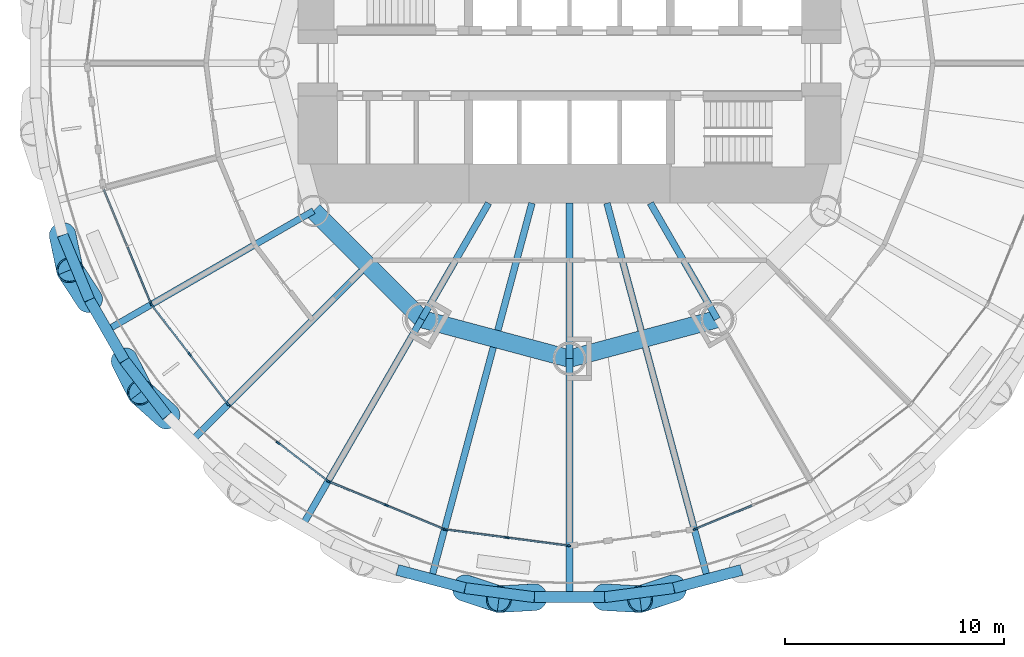
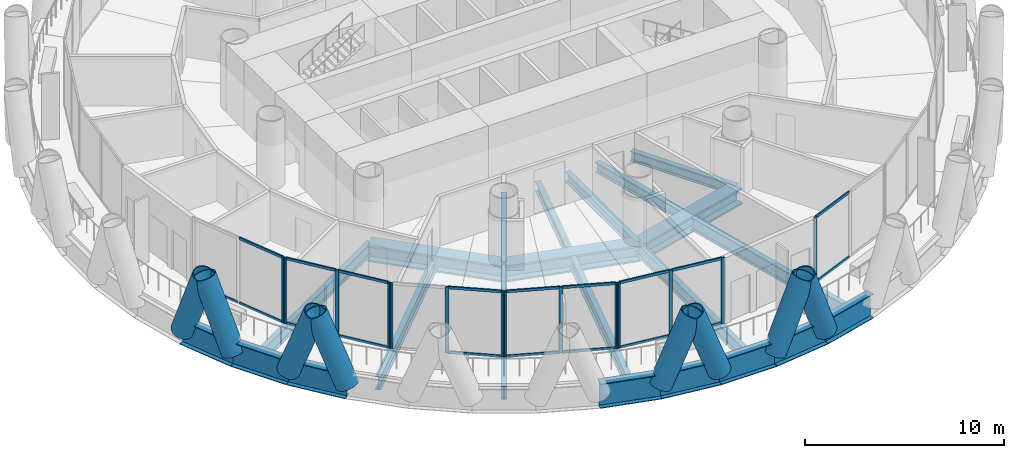
# One storey, part 2 of 16: 41 members, 22 beams, 6 elements without a shape of their own.
"""IFC4 building model written with IfcOpenShell, lengths in metres."""

from ifc_helpers import new_model, si_unit, direction, frame, origin, origin_2d, place, context, subcontext, project, spatial, rectangle, hollow_circle, i_section, extrude, material, material_profile, profile_set, type_object, element, aggregate, save


model = new_model("IFC4")

# Units and contexts
model_context = context("Model", 3, precision=1e-05, world=origin(), true_north=direction((0.0, 1.0)))
body_context = subcontext(model_context, "Body", "Model", "MODEL_VIEW")
ifc_project = project(units=[si_unit("LENGTHUNIT", "METRE"), si_unit("AREAUNIT", "SQUARE_METRE"), si_unit("VOLUMEUNIT", "CUBIC_METRE"), si_unit("PLANEANGLEUNIT", "RADIAN"), si_unit("MASSUNIT", "GRAM", prefix="KILO")], contexts=[model_context])

# Site, building, storey
site_placement = place(None, origin())
site = spatial("IfcSite", under=ifc_project, at=site_placement, CompositionType="ELEMENT")
building_placement = place(site_placement, origin())
building = spatial("IfcBuilding", under=site, at=building_placement, Name="Qaws Media Tower", CompositionType="ELEMENT")
storey_placement = place(building_placement, frame((0.0, 0.0, 47.0)))
storey = spatial("IfcBuildingStorey", under=building, at=storey_placement, Name="L09", CompositionType="ELEMENT", Elevation=47.0)

# Curtain wall, member
ifc_material_1 = material(Name="Aluminium and clear glass", Category="aluminium")
curtain_wall_type = type_object("IfcCurtainWallType", Name="Unitised curtain wall CW-A", PredefinedType="NOTDEFINED", material=ifc_material_1)
curtain_wall_1_placement = place(storey_placement, origin())
curtain_wall_1 = element("IfcCurtainWall", 1, at=curtain_wall_1_placement, inside=storey, type_object=curtain_wall_type, Name="CWA curtain wall L09-14", PredefinedType="NOTDEFINED")
ifc_material_2 = material(Name="Aluminium mullion", Category="aluminium")
ifc_material_profile_1 = material_profile(ifc_material_2, rectangle(XDim=0.080078125, YDim=0.199951171875, at=origin_2d()), Name="80x200")
ifc_profile_set_1 = profile_set([ifc_material_profile_1], Name="Aluminium mullion")
member_type_1 = type_object("IfcMemberType", Name="Curtain wall mullion 80x200", PredefinedType="MULLION", material=ifc_profile_set_1)
member_1_placement = place(storey_placement, frame((40.888916015625, 39.011962890625, 0.0), z_axis=(0.0, 0.0, 1.0), x_axis=(0.923879550525, 0.382683388877, 0.0)))
member_1 = element("IfcMember", 2, at=member_1_placement, type_object=member_type_1, Name="CWA mullion 3", PredefinedType="MULLION", context=body_context, shape_type="SweptSolid", body=[
    extrude(rectangle(XDim=0.080078125, YDim=0.199951171875, at=origin_2d()), origin(), (0.0, 0.0, 1.0), 4.0400390625),
])

# Curtain wall, members
curtain_wall_2_placement = place(storey_placement, origin())
curtain_wall_2 = element("IfcCurtainWall", 3, at=curtain_wall_2_placement, inside=storey, type_object=curtain_wall_type, Name="CWA curtain wall L09-15", PredefinedType="NOTDEFINED")
member_2_placement = place(storey_placement, frame((40.928466796875, 38.943359375, 0.0), z_axis=(0.0, 0.0, 1.0), x_axis=(0.79335342358, 0.608761320465, 0.0)))
member_2 = element("IfcMember", 4, at=member_2_placement, type_object=member_type_1, Name="CWA mullion 1", PredefinedType="MULLION", context=body_context, shape_type="SweptSolid", body=[
    extrude(rectangle(XDim=0.080078125, YDim=0.199951171875, at=origin_2d()), origin(), (0.0, 0.0, 1.0), 4.0400390625),
])
member_3_placement = place(storey_placement, frame((42.65625, 36.691650390625, 0.0), z_axis=(0.0, 0.0, 1.0), x_axis=(0.79335342358, 0.608761320465, 0.0)))
member_3 = element("IfcMember", 5, at=member_3_placement, type_object=member_type_1, Name="CWA mullion 2", PredefinedType="MULLION", context=body_context, shape_type="SweptSolid", body=[
    extrude(rectangle(XDim=0.080078125, YDim=0.199951171875, at=origin_2d()), origin(), (0.0, 0.0, 1.0), 4.0400390625),
])
member_4_placement = place(storey_placement, frame((44.384033203125, 34.43994140625, 0.0), z_axis=(0.0, 0.0, 1.0), x_axis=(0.79335342358, 0.608761320465, 0.0)))
member_4 = element("IfcMember", 6, at=member_4_placement, type_object=member_type_1, Name="CWA mullion 3", PredefinedType="MULLION", context=body_context, shape_type="SweptSolid", body=[
    extrude(rectangle(XDim=0.080078125, YDim=0.199951171875, at=origin_2d()), origin(), (0.0, 0.0, 1.0), 4.0400390625),
])

curtain_wall_3_placement = place(storey_placement, origin())
curtain_wall_3 = element("IfcCurtainWall", 7, at=curtain_wall_3_placement, inside=storey, type_object=curtain_wall_type, Name="CWA curtain wall L09-16", PredefinedType="NOTDEFINED")
member_5_placement = place(storey_placement, frame((44.43994140625, 34.384033203125, 0.0), z_axis=(0.0, 0.0, 1.0), x_axis=(0.608761320465, 0.79335342358, 0.0)))
member_5 = element("IfcMember", 8, at=member_5_placement, type_object=member_type_1, Name="CWA mullion 1", PredefinedType="MULLION", context=body_context, shape_type="SweptSolid", body=[
    extrude(rectangle(XDim=0.080078125, YDim=0.199951171875, at=origin_2d()), origin(), (0.0, 0.0, 1.0), 4.0400390625),
])
member_6_placement = place(storey_placement, frame((46.691650390625, 32.65625, 0.0), z_axis=(0.0, 0.0, 1.0), x_axis=(0.608761320465, 0.79335342358, 0.0)))
member_6 = element("IfcMember", 9, at=member_6_placement, type_object=member_type_1, Name="CWA mullion 2", PredefinedType="MULLION", context=body_context, shape_type="SweptSolid", body=[
    extrude(rectangle(XDim=0.080078125, YDim=0.199951171875, at=origin_2d()), origin(), (0.0, 0.0, 1.0), 4.0400390625),
])
member_7_placement = place(storey_placement, frame((48.943359375, 30.928466796875, 0.0), z_axis=(0.0, 0.0, 1.0), x_axis=(0.608761320465, 0.79335342358, 0.0)))
member_7 = element("IfcMember", 10, at=member_7_placement, type_object=member_type_1, Name="CWA mullion 3", PredefinedType="MULLION", context=body_context, shape_type="SweptSolid", body=[
    extrude(rectangle(XDim=0.080078125, YDim=0.199951171875, at=origin_2d()), origin(), (0.0, 0.0, 1.0), 4.0400390625),
])

curtain_wall_4_placement = place(storey_placement, origin())
curtain_wall_4 = element("IfcCurtainWall", 11, at=curtain_wall_4_placement, inside=storey, type_object=curtain_wall_type, Name="CWA curtain wall L09-17", PredefinedType="NOTDEFINED")
member_8_placement = place(storey_placement, frame((49.011962890625, 30.888916015625, 0.0), z_axis=(0.0, 0.0, 1.0), x_axis=(0.382683388877, 0.923879550525, 0.0)))
member_8 = element("IfcMember", 12, at=member_8_placement, type_object=member_type_1, Name="CWA mullion 1", PredefinedType="MULLION", context=body_context, shape_type="SweptSolid", body=[
    extrude(rectangle(XDim=0.080078125, YDim=0.199951171875, at=origin_2d()), origin(), (0.0, 0.0, 1.0), 4.0400390625),
])
member_9_placement = place(storey_placement, frame((51.634033203125, 29.802734375, 0.0), z_axis=(0.0, 0.0, 1.0), x_axis=(0.382683388877, 0.923879550525, 0.0)))
member_9 = element("IfcMember", 13, at=member_9_placement, type_object=member_type_1, Name="CWA mullion 2", PredefinedType="MULLION", context=body_context, shape_type="SweptSolid", body=[
    extrude(rectangle(XDim=0.080078125, YDim=0.199951171875, at=origin_2d()), origin(), (0.0, 0.0, 1.0), 4.0400390625),
])
member_10_placement = place(storey_placement, frame((54.256103515625, 28.716552734375, 0.0), z_axis=(0.0, 0.0, 1.0), x_axis=(0.382683388877, 0.923879550525, 0.0)))
member_10 = element("IfcMember", 14, at=member_10_placement, type_object=member_type_1, Name="CWA mullion 3", PredefinedType="MULLION", context=body_context, shape_type="SweptSolid", body=[
    extrude(rectangle(XDim=0.080078125, YDim=0.199951171875, at=origin_2d()), origin(), (0.0, 0.0, 1.0), 4.0400390625),
])

curtain_wall_5_placement = place(storey_placement, origin())
curtain_wall_5 = element("IfcCurtainWall", 15, at=curtain_wall_5_placement, inside=storey, type_object=curtain_wall_type, Name="CWA curtain wall L09-18", PredefinedType="NOTDEFINED")
member_11_placement = place(storey_placement, frame((54.332763671875, 28.696044921875, 0.0), z_axis=(0.0, 0.0, 1.0), x_axis=(0.130526271178, 0.991444850979, 0.0)))
member_11 = element("IfcMember", 16, at=member_11_placement, type_object=member_type_1, Name="CWA mullion 1", PredefinedType="MULLION", context=body_context, shape_type="SweptSolid", body=[
    extrude(rectangle(XDim=0.080078125, YDim=0.199951171875, at=origin_2d()), origin(), (0.0, 0.0, 1.0), 4.0400390625),
])
member_12_placement = place(storey_placement, frame((57.146484375, 28.32568359375, 0.0), z_axis=(0.0, 0.0, 1.0), x_axis=(0.130526271178, 0.991444850979, 0.0)))
member_12 = element("IfcMember", 17, at=member_12_placement, type_object=member_type_1, Name="CWA mullion 2", PredefinedType="MULLION", context=body_context, shape_type="SweptSolid", body=[
    extrude(rectangle(XDim=0.080078125, YDim=0.199951171875, at=origin_2d()), origin(), (0.0, 0.0, 1.0), 4.0400390625),
])
member_13_placement = place(storey_placement, frame((59.96044921875, 27.955322265625, 0.0), z_axis=(0.0, 0.0, 1.0), x_axis=(0.130526271178, 0.991444850979, 0.0)))
member_13 = element("IfcMember", 18, at=member_13_placement, type_object=member_type_1, Name="CWA mullion 3", PredefinedType="MULLION", context=body_context, shape_type="SweptSolid", body=[
    extrude(rectangle(XDim=0.080078125, YDim=0.199951171875, at=origin_2d()), origin(), (0.0, 0.0, 1.0), 4.0400390625),
])

# Curtain wall, member
curtain_wall_6_placement = place(storey_placement, origin())
curtain_wall_6 = element("IfcCurtainWall", 19, at=curtain_wall_6_placement, inside=storey, type_object=curtain_wall_type, Name="CWA curtain wall L09-20", PredefinedType="NOTDEFINED")
member_14_placement = place(storey_placement, frame((65.743896484375, 28.716552734375, 0.0), z_axis=(0.0, 0.0, 1.0), x_axis=(-0.382683388877, 0.923879550525, 0.0)))
member_14 = element("IfcMember", 20, at=member_14_placement, type_object=member_type_1, Name="CWA mullion 1", PredefinedType="MULLION", context=body_context, shape_type="SweptSolid", body=[
    extrude(rectangle(XDim=0.080078125, YDim=0.199951171875, at=origin_2d()), origin(), (0.0, 0.0, 1.0), 4.0400390625),
])

# Member
ifc_material_3 = material(Name="Aluminium transom", Category="aluminium")
ifc_material_profile_2 = material_profile(ifc_material_3, rectangle(XDim=0.080078125, YDim=0.159912109375, at=origin_2d()), Name="80x160")
ifc_profile_set_2 = profile_set([ifc_material_profile_2], Name="Aluminium transom")
member_type_2 = type_object("IfcMemberType", Name="Curtain wall transom 80x160", PredefinedType="USERDEFINED", material=ifc_profile_set_2)
member_15_placement = place(storey_placement, frame((38.73193359375, 44.21923828125, 0.0400390625), z_axis=(0.382641035771, -0.923897092616, 0.0), x_axis=(0.923897092616, 0.382641035771, 0.0)))
member_15 = element("IfcMember", 21, at=member_15_placement, type_object=member_type_2, Name="CWA transom 1.1", ObjectType="TRANSOM", PredefinedType="USERDEFINED", context=body_context, shape_type="SweptSolid", body=[
    extrude(rectangle(XDim=0.080078125, YDim=0.159912109375, at=origin_2d()), origin(), (0.0, 0.0, 1.0), 2.75830078125),
])

member_16_placement = place(storey_placement, frame((39.818115234375, 41.59716796875, 0.0400390625), z_axis=(0.382641035771, -0.923897092616, 0.0), x_axis=(0.923897092616, 0.382641035771, 0.0)))
member_16 = element("IfcMember", 22, at=member_16_placement, type_object=member_type_2, Name="CWA transom 2.1", ObjectType="TRANSOM", PredefinedType="USERDEFINED", context=body_context, shape_type="SweptSolid", body=[
    extrude(rectangle(XDim=0.080078125, YDim=0.159912109375, at=origin_2d()), origin(), (0.0, 0.0, 1.0), 2.75830078125),
])

member_17_placement = place(storey_placement, frame((39.818115234375, 41.59716796875, 4.0), z_axis=(0.382641035771, -0.923897092616, 0.0), x_axis=(0.923897092616, 0.382641035771, 0.0)))
member_17 = element("IfcMember", 23, at=member_17_placement, type_object=member_type_2, Name="CWA transom 2.2", ObjectType="TRANSOM", PredefinedType="USERDEFINED", context=body_context, shape_type="SweptSolid", body=[
    extrude(rectangle(XDim=0.080078125, YDim=0.159912109375, at=origin_2d()), origin(), (0.0, 0.0, 1.0), 2.75830078125),
])

aggregate(curtain_wall_1, [member_1, member_15, member_16, member_17])

member_18_placement = place(storey_placement, frame((40.952880859375, 38.91162109375, 0.0400390625), z_axis=(0.608730686286, -0.793376929066, 0.0), x_axis=(0.793376929066, 0.608730686286, 0.0)))
member_18 = element("IfcMember", 24, at=member_18_placement, type_object=member_type_2, Name="CWA transom 1.1", ObjectType="TRANSOM", PredefinedType="USERDEFINED", context=body_context, shape_type="SweptSolid", body=[
    extrude(rectangle(XDim=0.080078125, YDim=0.159912109375, at=origin_2d()), origin(), (0.0, 0.0, 1.0), 2.758056640625),
])

member_19_placement = place(storey_placement, frame((40.952880859375, 38.91162109375, 4.0), z_axis=(0.608730686286, -0.793376929066, 0.0), x_axis=(0.793376929066, 0.608730686286, 0.0)))
member_19 = element("IfcMember", 25, at=member_19_placement, type_object=member_type_2, Name="CWA transom 1.2", ObjectType="TRANSOM", PredefinedType="USERDEFINED", context=body_context, shape_type="SweptSolid", body=[
    extrude(rectangle(XDim=0.080078125, YDim=0.159912109375, at=origin_2d()), origin(), (0.0, 0.0, 1.0), 2.758056640625),
])

member_20_placement = place(storey_placement, frame((42.6806640625, 36.659912109375, 0.0400390625), z_axis=(0.608730686286, -0.793376929066, 0.0), x_axis=(0.793376929066, 0.608730686286, 0.0)))
member_20 = element("IfcMember", 26, at=member_20_placement, type_object=member_type_2, Name="CWA transom 2.1", ObjectType="TRANSOM", PredefinedType="USERDEFINED", context=body_context, shape_type="SweptSolid", body=[
    extrude(rectangle(XDim=0.080078125, YDim=0.159912109375, at=origin_2d()), origin(), (0.0, 0.0, 1.0), 2.758056640625),
])

member_21_placement = place(storey_placement, frame((42.6806640625, 36.659912109375, 4.0), z_axis=(0.608730686286, -0.793376929066, 0.0), x_axis=(0.793376929066, 0.608730686286, 0.0)))
member_21 = element("IfcMember", 27, at=member_21_placement, type_object=member_type_2, Name="CWA transom 2.2", ObjectType="TRANSOM", PredefinedType="USERDEFINED", context=body_context, shape_type="SweptSolid", body=[
    extrude(rectangle(XDim=0.080078125, YDim=0.159912109375, at=origin_2d()), origin(), (0.0, 0.0, 1.0), 2.758056640625),
])

aggregate(curtain_wall_2, [member_2, member_3, member_4, member_18, member_19, member_20, member_21])

member_22_placement = place(storey_placement, frame((46.723388671875, 32.6318359375, 0.0400390625), z_axis=(0.793376929066, -0.608730686286, 0.0), x_axis=(0.608730686286, 0.793376929066, 0.0)))
member_22 = element("IfcMember", 28, at=member_22_placement, type_object=member_type_2, Name="CWA transom 2.1", ObjectType="TRANSOM", PredefinedType="USERDEFINED", context=body_context, shape_type="SweptSolid", body=[
    extrude(rectangle(XDim=0.080078125, YDim=0.159912109375, at=origin_2d()), origin(), (0.0, 0.0, 1.0), 2.758056640625),
])

member_23_placement = place(storey_placement, frame((46.723388671875, 32.6318359375, 4.0), z_axis=(0.793376929066, -0.608730686286, 0.0), x_axis=(0.608730686286, 0.793376929066, 0.0)))
member_23 = element("IfcMember", 29, at=member_23_placement, type_object=member_type_2, Name="CWA transom 2.2", ObjectType="TRANSOM", PredefinedType="USERDEFINED", context=body_context, shape_type="SweptSolid", body=[
    extrude(rectangle(XDim=0.080078125, YDim=0.159912109375, at=origin_2d()), origin(), (0.0, 0.0, 1.0), 2.758056640625),
])

aggregate(curtain_wall_3, [member_5, member_6, member_7, member_22, member_23])

member_24_placement = place(storey_placement, frame((49.048828125, 30.87353515625, 0.0400390625), z_axis=(0.923897092616, -0.382641035771, 0.0), x_axis=(0.382641035771, 0.923897092616, 0.0)))
member_24 = element("IfcMember", 30, at=member_24_placement, type_object=member_type_2, Name="CWA transom 1.1", ObjectType="TRANSOM", PredefinedType="USERDEFINED", context=body_context, shape_type="SweptSolid", body=[
    extrude(rectangle(XDim=0.080078125, YDim=0.159912109375, at=origin_2d()), origin(), (0.0, 0.0, 1.0), 2.75830078125),
])

member_25_placement = place(storey_placement, frame((49.048828125, 30.87353515625, 4.0), z_axis=(0.923897092616, -0.382641035771, 0.0), x_axis=(0.382641035771, 0.923897092616, 0.0)))
member_25 = element("IfcMember", 31, at=member_25_placement, type_object=member_type_2, Name="CWA transom 1.2", ObjectType="TRANSOM", PredefinedType="USERDEFINED", context=body_context, shape_type="SweptSolid", body=[
    extrude(rectangle(XDim=0.080078125, YDim=0.159912109375, at=origin_2d()), origin(), (0.0, 0.0, 1.0), 2.75830078125),
])

member_26_placement = place(storey_placement, frame((51.6708984375, 29.787353515625, 0.0400390625), z_axis=(0.923897092616, -0.382641035771, 0.0), x_axis=(0.382641035771, 0.923897092616, 0.0)))
member_26 = element("IfcMember", 32, at=member_26_placement, type_object=member_type_2, Name="CWA transom 2.1", ObjectType="TRANSOM", PredefinedType="USERDEFINED", context=body_context, shape_type="SweptSolid", body=[
    extrude(rectangle(XDim=0.080078125, YDim=0.159912109375, at=origin_2d()), origin(), (0.0, 0.0, 1.0), 2.75830078125),
])

member_27_placement = place(storey_placement, frame((51.6708984375, 29.787353515625, 4.0), z_axis=(0.923897092616, -0.382641035771, 0.0), x_axis=(0.382641035771, 0.923897092616, 0.0)))
member_27 = element("IfcMember", 33, at=member_27_placement, type_object=member_type_2, Name="CWA transom 2.2", ObjectType="TRANSOM", PredefinedType="USERDEFINED", context=body_context, shape_type="SweptSolid", body=[
    extrude(rectangle(XDim=0.080078125, YDim=0.159912109375, at=origin_2d()), origin(), (0.0, 0.0, 1.0), 2.75830078125),
])

aggregate(curtain_wall_4, [member_8, member_9, member_10, member_24, member_25, member_26, member_27])

member_28_placement = place(storey_placement, frame((54.372314453125, 28.69091796875, 0.0400390625), z_axis=(0.991440732967, -0.130557546748, 0.0), x_axis=(0.130557546748, 0.991440732967, 0.0)))
member_28 = element("IfcMember", 34, at=member_28_placement, type_object=member_type_2, Name="CWA transom 1.1", ObjectType="TRANSOM", PredefinedType="USERDEFINED", context=body_context, shape_type="SweptSolid", body=[
    extrude(rectangle(XDim=0.080078125, YDim=0.159912109375, at=origin_2d()), origin(), (0.0, 0.0, 1.0), 2.75830078125),
])

member_29_placement = place(storey_placement, frame((54.372314453125, 28.69091796875, 4.0), z_axis=(0.991440732967, -0.130557546748, 0.0), x_axis=(0.130557546748, 0.991440732967, 0.0)))
member_29 = element("IfcMember", 35, at=member_29_placement, type_object=member_type_2, Name="CWA transom 1.2", ObjectType="TRANSOM", PredefinedType="USERDEFINED", context=body_context, shape_type="SweptSolid", body=[
    extrude(rectangle(XDim=0.080078125, YDim=0.159912109375, at=origin_2d()), origin(), (0.0, 0.0, 1.0), 2.75830078125),
])

member_30_placement = place(storey_placement, frame((57.186279296875, 28.320556640625, 0.0400390625), z_axis=(0.991439224031, -0.13056900495, 0.0), x_axis=(0.13056900495, 0.991439224031, 0.0)))
member_30 = element("IfcMember", 36, at=member_30_placement, type_object=member_type_2, Name="CWA transom 2.1", ObjectType="TRANSOM", PredefinedType="USERDEFINED", context=body_context, shape_type="SweptSolid", body=[
    extrude(rectangle(XDim=0.080078125, YDim=0.159912109375, at=origin_2d()), origin(), (0.0, 0.0, 1.0), 2.758056640625),
])

member_31_placement = place(storey_placement, frame((57.186279296875, 28.320556640625, 4.0), z_axis=(0.991439224031, -0.13056900495, 0.0), x_axis=(0.13056900495, 0.991439224031, 0.0)))
member_31 = element("IfcMember", 37, at=member_31_placement, type_object=member_type_2, Name="CWA transom 2.2", ObjectType="TRANSOM", PredefinedType="USERDEFINED", context=body_context, shape_type="SweptSolid", body=[
    extrude(rectangle(XDim=0.080078125, YDim=0.159912109375, at=origin_2d()), origin(), (0.0, 0.0, 1.0), 2.758056640625),
])

aggregate(curtain_wall_5, [member_11, member_12, member_13, member_28, member_29, member_30, member_31])

member_32_placement = place(storey_placement, frame((65.78076171875, 28.73193359375, 0.0400390625), z_axis=(0.923897092616, 0.382641035771, 0.0), x_axis=(-0.382641035771, 0.923897092616, 0.0)))
member_32 = element("IfcMember", 38, at=member_32_placement, type_object=member_type_2, Name="CWA transom 1.1", ObjectType="TRANSOM", PredefinedType="USERDEFINED", context=body_context, shape_type="SweptSolid", body=[
    extrude(rectangle(XDim=0.080078125, YDim=0.159912109375, at=origin_2d()), origin(), (0.0, 0.0, 1.0), 2.75830078125),
])

member_33_placement = place(storey_placement, frame((65.78076171875, 28.73193359375, 4.0), z_axis=(0.923897092616, 0.382641035771, 0.0), x_axis=(-0.382641035771, 0.923897092616, 0.0)))
member_33 = element("IfcMember", 39, at=member_33_placement, type_object=member_type_2, Name="CWA transom 1.2", ObjectType="TRANSOM", PredefinedType="USERDEFINED", context=body_context, shape_type="SweptSolid", body=[
    extrude(rectangle(XDim=0.080078125, YDim=0.159912109375, at=origin_2d()), origin(), (0.0, 0.0, 1.0), 2.75830078125),
])

aggregate(curtain_wall_6, [member_14, member_32, member_33])

# Members
ifc_material_4 = material(Name="Steel S460", Category="steel")
ifc_material_profile_3 = material_profile(ifc_material_4, hollow_circle(Radius=0.609619140625, WallThickness=0.06005859375, at=origin_2d()), Name="CHS 1219x60")
ifc_profile_set_3 = profile_set([ifc_material_profile_3], Name="Steel S460")
member_type_3 = type_object("IfcMemberType", Name="Diagrid member CHS 1219x60", PredefinedType="USERDEFINED", material=ifc_profile_set_3)
member_34_placement = place(storey_placement, frame((36.84765625, 42.140869140625, -0.909912109375), z_axis=(0.073822826666, -0.353720827329, 0.932433250467), x_axis=(0.978907978133, 0.204301665065, 0.0)))
element("IfcMember", 40, at=member_34_placement, inside=storey, type_object=member_type_3, Name="DG1 diagrid L09 A14", ObjectType="DIAGRID", PredefinedType="USERDEFINED", context=body_context, shape_type="SweptSolid", body=[
    extrude(hollow_circle(Radius=0.609619140625, WallThickness=0.06005859375, at=origin_2d()), origin(), (0.0, 0.0, 1.0), 4.50439453125),
])
for number, where, z_axis, x_axis, name in (
    (41, (39.670654296875, 36.416259765625, -0.909912109375), (0.16282626708, -0.322508751373, 0.932456815105), (0.892680067267, 0.450690911272, 0.0), "DG1 diagrid L09 A15"),
    (42, (38.071533203125, 39.18603515625, -0.909912109375), (-0.197893899666, 0.3022882165, 0.932448303468), (-0.836660268632, -0.547722187695, 0.0), "DG1 diagrid L09 B15"),
):
    element("IfcMember", number, at=place(storey_placement, frame(where, z_axis=z_axis, x_axis=x_axis)), inside=storey, type_object=member_type_3, Name=name, ObjectType="DIAGRID", PredefinedType="USERDEFINED", context=body_context, shape_type="SweptSolid", body=[
        extrude(hollow_circle(Radius=0.609619140625, WallThickness=0.06005859375, at=origin_2d()), origin(), (0.0, 0.0, 1.0), 4.504150390625),
    ])
for number, where, z_axis, x_axis, name in (
    (43, (41.617431640625, 33.87890625, -0.909912109375), (-0.269383872368, 0.240819425539, 0.9324367719), (-0.666474709175, -0.745527640018, 0.0), "DG1 diagrid L09 B16"),
    (44, (55.22998046875, 26.019775390625, -0.909912109375), (0.343258845782, -0.112901969961, 0.932430431706), (0.312445312574, 0.949935748696, 0.0), "DG1 diagrid L09 A18"),
):
    element("IfcMember", number, at=place(storey_placement, frame(where, z_axis=z_axis, x_axis=x_axis)), inside=storey, type_object=member_type_3, Name=name, ObjectType="DIAGRID", PredefinedType="USERDEFINED", context=body_context, shape_type="SweptSolid", body=[
        extrude(hollow_circle(Radius=0.609619140625, WallThickness=0.06005859375, at=origin_2d()), origin(), (0.0, 0.0, 1.0), 4.50439453125),
    ])
for number, where, z_axis, x_axis, name in (
    (45, (61.59912109375, 25.602294921875, -0.909912109375), (0.360721105206, -0.020217726858, 0.932454571429), (0.055960256636, 0.99843299709, 0.0), "DG1 diagrid L09 A19"),
    (46, (58.40087890625, 25.602294921875, -0.909912109375), (-0.360721105206, -0.020217726858, 0.932454571429), (0.055960256636, -0.99843299709, 0.0), "DG1 diagrid L09 B19"),
):
    element("IfcMember", number, at=place(storey_placement, frame(where, z_axis=z_axis, x_axis=x_axis)), inside=storey, type_object=member_type_3, Name=name, ObjectType="DIAGRID", PredefinedType="USERDEFINED", context=body_context, shape_type="SweptSolid", body=[
        extrude(hollow_circle(Radius=0.609619140625, WallThickness=0.06005859375, at=origin_2d()), origin(), (0.0, 0.0, 1.0), 4.504150390625),
    ])
member_35_placement = place(storey_placement, frame((64.77001953125, 26.019775390625, -0.909912109375), z_axis=(-0.343258845782, -0.112901969961, 0.932430431706), x_axis=(0.312445312574, -0.949935748696, 0.0)))
element("IfcMember", 47, at=member_35_placement, inside=storey, type_object=member_type_3, Name="DG1 diagrid L09 B20", ObjectType="DIAGRID", PredefinedType="USERDEFINED", context=body_context, shape_type="SweptSolid", body=[
    extrude(hollow_circle(Radius=0.609619140625, WallThickness=0.06005859375, at=origin_2d()), origin(), (0.0, 0.0, 1.0), 4.50439453125),
])

# Beams
ifc_material_5 = material(Name="Steel S460", Category="steel")
ifc_material_profile_4 = material_profile(ifc_material_5, i_section(OverallWidth=0.5, OverallDepth=1.5, WebThickness=0.02001953125, FlangeThickness=0.0400390625, at=origin_2d()), Name="PG 1500x500")
ifc_profile_set_4 = profile_set([ifc_material_profile_4], Name="Steel S460")
beam_type_1 = type_object("IfcBeamType", Name="Edge ring beam PG 1500x500", PredefinedType="BEAM", material=ifc_profile_set_4)
for number, where, z_axis, x_axis, name in (
    (48, (36.84765625, 42.140869140625, -0.909912109375), (0.382668658443, -0.923885651932, 0.0), (0.923885651932, 0.382668658443, 0.0), "RB4 edge ring beam L09-27"),
    (49, (38.071533203125, 39.18603515625, -0.909912109375), (0.499997778408, -0.866026686418, 0.0), (0.866026686418, 0.499997778408, 0.0), "RB4 edge ring beam L09-28"),
    (50, (39.670654296875, 36.416259765625, -0.909912109375), (0.608721577857, -0.793383917565, 0.0), (0.793383917565, 0.608721577857, 0.0), "RB4 edge ring beam L09-29"),
    (51, (52.140869140625, 26.84765625, -0.909912109375), (0.965913632625, -0.258864548189, 0.0), (0.258864548189, 0.965913632625, 0.0), "RB4 edge ring beam L09-34"),
    (52, (55.22998046875, 26.019775390625, -0.909912109375), (0.991443899561, -0.130533497709, 0.0), (0.130533497709, 0.991443899561, 0.0), "RB4 edge ring beam L09-35"),
    (53, (58.40087890625, 25.602294921875, -0.909912109375), (1.0, 0.0, 0.0), (0.0, 1.0, 0.0), "RB4 edge ring beam L09-36"),
    (54, (61.59912109375, 25.602294921875, -0.909912109375), (0.991443899561, 0.130533497709, 0.0), (-0.130533497709, 0.991443899561, 0.0), "RB4 edge ring beam L09-37"),
    (55, (64.77001953125, 26.019775390625, -0.909912109375), (0.965913632625, 0.258864548189, 0.0), (-0.258864548189, 0.965913632625, 0.0), "RB4 edge ring beam L09-38"),
):
    element("IfcBeam", number, at=place(storey_placement, frame(where, z_axis=z_axis, x_axis=x_axis)), inside=storey, type_object=beam_type_1, Name=name, PredefinedType="BEAM", context=body_context, shape_type="SweptSolid", body=[
        extrude(i_section(OverallWidth=0.5, OverallDepth=1.5, WebThickness=0.02001953125, FlangeThickness=0.0400390625, at=origin_2d()), origin(), (0.0, 0.0, 1.0), 3.1982421875),
    ])
ifc_material_6 = material(Name="Steel S460", Category="steel")
ifc_material_profile_5 = material_profile(ifc_material_6, i_section(OverallWidth=0.800048828125, OverallDepth=1.0, WebThickness=0.0400390625, FlangeThickness=0.10009765625, at=origin_2d()), Name="PG 1000x800")
ifc_profile_set_5 = profile_set([ifc_material_profile_5], Name="Steel S460")
beam_type_2 = type_object("IfcBeamType", Name="Inner ring girder PG 1000x800", PredefinedType="BEAM", material=ifc_profile_set_5)
beam_1_placement = place(storey_placement, frame((48.30859375, 43.25, -0.659912109375), z_axis=(0.707106781187, -0.707106781187, 0.0), x_axis=(0.707106781187, 0.707106781187, 0.0)))
element("IfcBeam", 56, at=beam_1_placement, inside=storey, type_object=beam_type_2, Name="B3 inner ring beam L09 I08-I09", PredefinedType="BEAM", context=body_context, shape_type="SweptSolid", body=[
    extrude(i_section(OverallWidth=0.800048828125, OverallDepth=1.0, WebThickness=0.0400390625, FlangeThickness=0.10009765625, at=origin_2d()), origin(), (0.0, 0.0, 1.0), 6.98828125),
])
for number, where, z_axis, x_axis, name in (
    (57, (53.25, 38.30859375, -0.659912109375), (0.965928090778, -0.258810593767, 0.0), (0.258810593767, 0.965928090778, 0.0), "B3 inner ring beam L09 I09-I10"),
    (58, (60.0, 36.5, -0.659912109375), (0.965928090778, 0.258810593767, 0.0), (-0.258810593767, 0.965928090778, 0.0), "B3 inner ring beam L09 I10-I11"),
):
    element("IfcBeam", number, at=place(storey_placement, frame(where, z_axis=z_axis, x_axis=x_axis)), inside=storey, type_object=beam_type_2, Name=name, PredefinedType="BEAM", context=body_context, shape_type="SweptSolid", body=[
        extrude(i_section(OverallWidth=0.800048828125, OverallDepth=1.0, WebThickness=0.0400390625, FlangeThickness=0.10009765625, at=origin_2d()), origin(), (0.0, 0.0, 1.0), 6.988037109375),
    ])
ifc_material_7 = material(Name="Steel S355", Category="steel")
ifc_material_profile_6 = material_profile(ifc_material_7, i_section(OverallWidth=0.304931640625, OverallDepth=0.6201171875, WebThickness=0.02099609375, FlangeThickness=0.0400390625, FilletRadius=0.027099609375, at=origin_2d()), Name="HE 600 M")
ifc_profile_set_6 = profile_set([ifc_material_profile_6], Name="Steel S355")
beam_type_3 = type_object("IfcBeamType", Name="Radial beam HE 600 M, core side", PredefinedType="BEAM", material=ifc_profile_set_6)
beam_2_placement = place(storey_placement, frame((56.304931640625, 43.60009765625, -0.469970703125), z_axis=(-0.49998532359, -0.866033877048, 0.0), x_axis=(0.866033877048, -0.49998532359, 0.0)))
element("IfcBeam", 59, at=beam_2_placement, inside=storey, type_object=beam_type_3, Name="B2 radial beam L09 17", PredefinedType="BEAM", context=body_context, shape_type="SweptSolid", body=[
    extrude(i_section(OverallWidth=0.304931640625, OverallDepth=0.6201171875, WebThickness=0.02099609375, FlangeThickness=0.0400390625, FilletRadius=0.027099609375, at=origin_2d()), origin(), (0.0, 0.0, 1.0), 6.110107421875),
])
beam_3_placement = place(storey_placement, frame((58.28515625, 43.60009765625, -0.469970703125), z_axis=(-0.258824687089, -0.965924314506, 0.0), x_axis=(0.965924314506, -0.258824687089, 0.0)))
element("IfcBeam", 60, at=beam_3_placement, inside=storey, type_object=beam_type_3, Name="B2 radial beam L09 18", PredefinedType="BEAM", context=body_context, shape_type="SweptSolid", body=[
    extrude(i_section(OverallWidth=0.304931640625, OverallDepth=0.6201171875, WebThickness=0.02099609375, FlangeThickness=0.0400390625, FilletRadius=0.027099609375, at=origin_2d()), origin(), (0.0, 0.0, 1.0), 6.01416015625),
])
beam_4_placement = place(storey_placement, frame((60.0, 43.60009765625, -0.469970703125), z_axis=(0.0, -1.0, 0.0), x_axis=(1.0, 0.0, 0.0)))
element("IfcBeam", 61, at=beam_4_placement, inside=storey, type_object=beam_type_3, Name="B2 radial beam L09 19", PredefinedType="BEAM", context=body_context, shape_type="SweptSolid", body=[
    extrude(i_section(OverallWidth=0.304931640625, OverallDepth=0.6201171875, WebThickness=0.02099609375, FlangeThickness=0.0400390625, FilletRadius=0.027099609375, at=origin_2d()), origin(), (0.0, 0.0, 1.0), 7.10009765625),
])
beam_5_placement = place(storey_placement, frame((61.71484375, 43.60009765625, -0.469970703125), z_axis=(0.258824687089, -0.965924314506, 0.0), x_axis=(0.965924314506, 0.258824687089, 0.0)))
element("IfcBeam", 62, at=beam_5_placement, inside=storey, type_object=beam_type_3, Name="B2 radial beam L09 20", PredefinedType="BEAM", context=body_context, shape_type="SweptSolid", body=[
    extrude(i_section(OverallWidth=0.304931640625, OverallDepth=0.6201171875, WebThickness=0.02099609375, FlangeThickness=0.0400390625, FilletRadius=0.027099609375, at=origin_2d()), origin(), (0.0, 0.0, 1.0), 6.01416015625),
])
beam_6_placement = place(storey_placement, frame((63.695068359375, 43.60009765625, -0.469970703125), z_axis=(0.49998532359, -0.866033877048, 0.0), x_axis=(0.866033877048, 0.49998532359, 0.0)))
element("IfcBeam", 63, at=beam_6_placement, inside=storey, type_object=beam_type_3, Name="B2 radial beam L09 21", PredefinedType="BEAM", context=body_context, shape_type="SweptSolid", body=[
    extrude(i_section(OverallWidth=0.304931640625, OverallDepth=0.6201171875, WebThickness=0.02099609375, FlangeThickness=0.0400390625, FilletRadius=0.027099609375, at=origin_2d()), origin(), (0.0, 0.0, 1.0), 6.110107421875),
])
ifc_material_8 = material(Name="Steel S355", Category="steel")
ifc_material_profile_7 = material_profile(ifc_material_8, i_section(OverallWidth=0.300048828125, OverallDepth=0.800048828125, WebThickness=0.017578125, FlangeThickness=0.032958984375, FilletRadius=0.030029296875, at=origin_2d()), Name="HE 800 B")
ifc_profile_set_7 = profile_set([ifc_material_profile_7], Name="Steel S355")
beam_type_4 = type_object("IfcBeamType", Name="Radial beam HE 800 B", PredefinedType="BEAM", material=ifc_profile_set_7)
beam_7_placement = place(storey_placement, frame((48.30859375, 43.25, -0.56005859375), z_axis=(-0.86602590829, -0.49999912617, 0.0), x_axis=(0.49999912617, -0.86602590829, 0.0)))
element("IfcBeam", 64, at=beam_7_placement, inside=storey, type_object=beam_type_4, Name="B1 radial beam L09 15", PredefinedType="BEAM", context=body_context, shape_type="SweptSolid", body=[
    extrude(i_section(OverallWidth=0.300048828125, OverallDepth=0.800048828125, WebThickness=0.017578125, FlangeThickness=0.032958984375, FilletRadius=0.030029296875, at=origin_2d()), origin(), (0.0, 0.0, 1.0), 10.8974609375),
])
beam_8_placement = place(storey_placement, frame((50.49658203125, 40.49658203125, -0.56005859375), z_axis=(-0.707106781187, -0.707106781187, 0.0), x_axis=(0.707106781187, -0.707106781187, 0.0)))
element("IfcBeam", 65, at=beam_8_placement, inside=storey, type_object=beam_type_4, Name="B1 radial beam L09 16", PredefinedType="BEAM", context=body_context, shape_type="SweptSolid", body=[
    extrude(i_section(OverallWidth=0.300048828125, OverallDepth=0.800048828125, WebThickness=0.017578125, FlangeThickness=0.032958984375, FilletRadius=0.030029296875, at=origin_2d()), origin(), (0.0, 0.0, 1.0), 10.957763671875),
])
beam_9_placement = place(storey_placement, frame((53.25, 38.30859375, -0.56005859375), z_axis=(-0.49999912617, -0.86602590829, 0.0), x_axis=(0.86602590829, -0.49999912617, 0.0)))
element("IfcBeam", 66, at=beam_9_placement, inside=storey, type_object=beam_type_4, Name="B1 radial beam L09 17", PredefinedType="BEAM", context=body_context, shape_type="SweptSolid", body=[
    extrude(i_section(OverallWidth=0.300048828125, OverallDepth=0.800048828125, WebThickness=0.017578125, FlangeThickness=0.032958984375, FilletRadius=0.030029296875, at=origin_2d()), origin(), (0.0, 0.0, 1.0), 10.8974609375),
])
beam_10_placement = place(storey_placement, frame((56.521484375, 37.01806640625, -0.56005859375), z_axis=(-0.258825919743, -0.965923984208, 0.0), x_axis=(0.965923984208, -0.258825919743, 0.0)))
element("IfcBeam", 67, at=beam_10_placement, inside=storey, type_object=beam_type_4, Name="B1 radial beam L09 18", PredefinedType="BEAM", context=body_context, shape_type="SweptSolid", body=[
    extrude(i_section(OverallWidth=0.300048828125, OverallDepth=0.800048828125, WebThickness=0.017578125, FlangeThickness=0.032958984375, FilletRadius=0.030029296875, at=origin_2d()), origin(), (0.0, 0.0, 1.0), 10.957763671875),
])
beam_11_placement = place(storey_placement, frame((60.0, 36.5, -0.56005859375), z_axis=(0.0, -1.0, 0.0), x_axis=(1.0, 0.0, 0.0)))
element("IfcBeam", 68, at=beam_11_placement, inside=storey, type_object=beam_type_4, Name="B1 radial beam L09 19", PredefinedType="BEAM", context=body_context, shape_type="SweptSolid", body=[
    extrude(i_section(OverallWidth=0.300048828125, OverallDepth=0.800048828125, WebThickness=0.017578125, FlangeThickness=0.032958984375, FilletRadius=0.030029296875, at=origin_2d()), origin(), (0.0, 0.0, 1.0), 10.897705078125),
])
beam_12_placement = place(storey_placement, frame((63.478515625, 37.01806640625, -0.56005859375), z_axis=(0.258825919743, -0.965923984208, 0.0), x_axis=(0.965923984208, 0.258825919743, 0.0)))
element("IfcBeam", 69, at=beam_12_placement, inside=storey, type_object=beam_type_4, Name="B1 radial beam L09 20", PredefinedType="BEAM", context=body_context, shape_type="SweptSolid", body=[
    extrude(i_section(OverallWidth=0.300048828125, OverallDepth=0.800048828125, WebThickness=0.017578125, FlangeThickness=0.032958984375, FilletRadius=0.030029296875, at=origin_2d()), origin(), (0.0, 0.0, 1.0), 10.957763671875),
])

save(model, "model.ifc")
